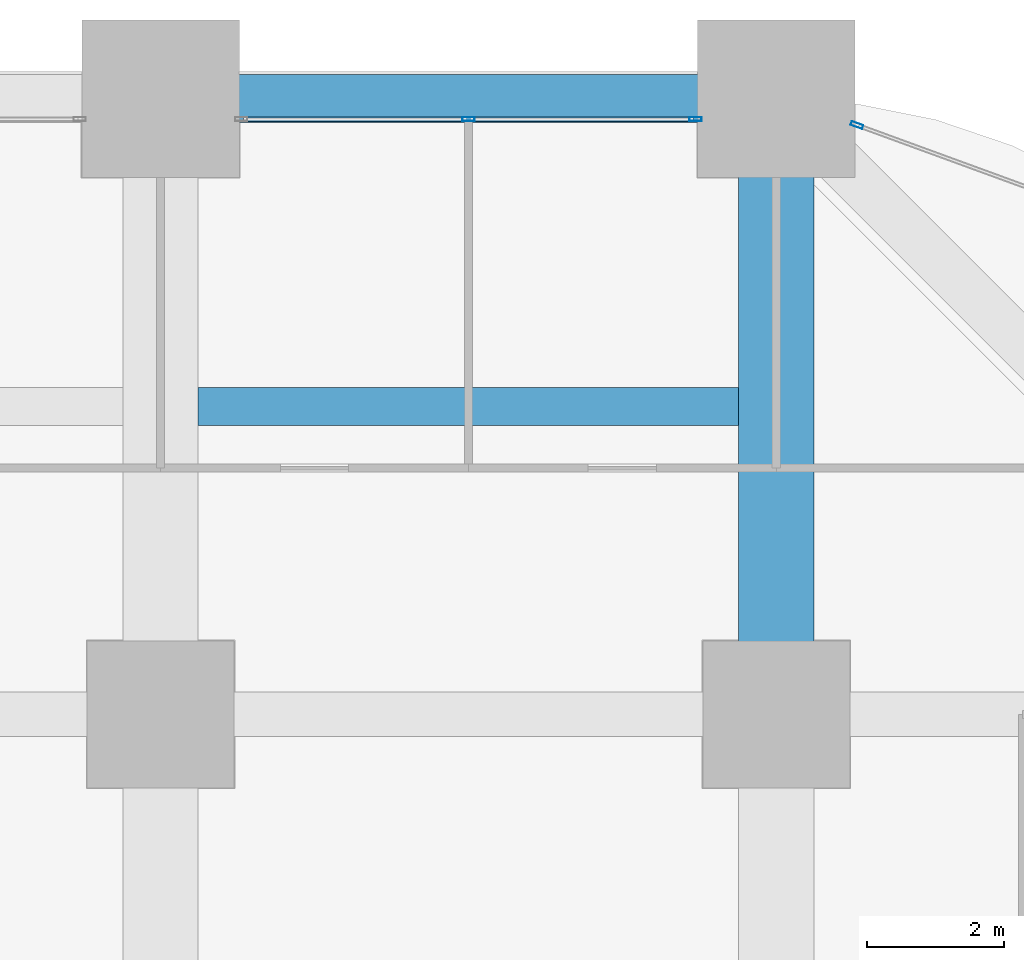
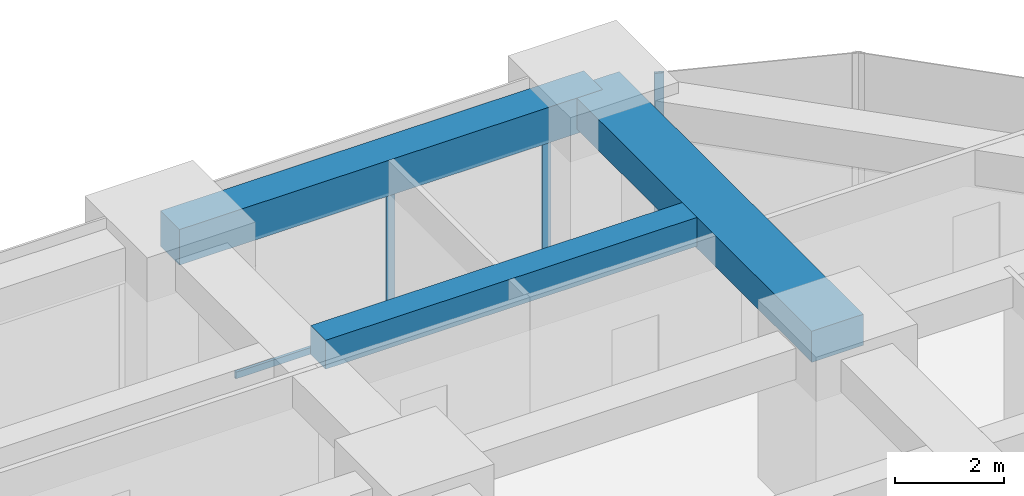
# One storey, part 36 of 44: 4 members, 3 beams, 2 elements without a shape of their own.
"""IFC4 building model written with IfcOpenShell, lengths in metres."""

from ifc_helpers import new_model, si_unit, direction, frame, origin, origin_2d, place, context, subcontext, project, spatial, rectangle, hollow_rectangle, extrude, material, material_profile, profile_set, type_object, element, aggregate, save


model = new_model("IFC4")

# Units and contexts
model_context = context("Model", 3, precision=1e-05, world=origin(), true_north=direction((0.0, 1.0)))
body_context = subcontext(model_context, "Body", "Model", "MODEL_VIEW")
ifc_project = project(units=[si_unit("LENGTHUNIT", "METRE"), si_unit("AREAUNIT", "SQUARE_METRE"), si_unit("VOLUMEUNIT", "CUBIC_METRE"), si_unit("PLANEANGLEUNIT", "RADIAN"), si_unit("MASSUNIT", "GRAM", prefix="KILO")], contexts=[model_context])

# Site, building, storey
site_placement = place(None, origin())
site = spatial("IfcSite", under=ifc_project, at=site_placement, CompositionType="ELEMENT")
building_placement = place(site_placement, origin())
building = spatial("IfcBuilding", under=site, at=building_placement, Name="Zorevar Civic Tower", CompositionType="ELEMENT")
storey_placement = place(building_placement, frame((0.0, 0.0, 55.800048828125)))
storey = spatial("IfcBuildingStorey", under=building, at=storey_placement, Name="L13", CompositionType="ELEMENT", Elevation=55.800048828125)

# Beams
ifc_material_1 = material(Name="Concrete C50/60", Category="concrete")
ifc_material_profile_1 = material_profile(ifc_material_1, rectangle(XDim=1.10009765625, YDim=0.699951171875, at=origin_2d()), Name="RC 1100x700")
ifc_profile_set_1 = profile_set([ifc_material_profile_1], Name="Concrete C50/60")
beam_type_1 = type_object("IfcBeamType", Name="Beam RC 1100x700", PredefinedType="BEAM", material=ifc_profile_set_1)
beam_1_placement = place(storey_placement, frame((54.0, 45.0, 3.39990234375), z_axis=(0.0, 1.0, 0.0), x_axis=(-1.0, 0.0, 0.0)))
element("IfcBeam", 1, at=beam_1_placement, inside=storey, type_object=beam_type_1, Name="Girder L14", PredefinedType="BEAM", context=body_context, shape_type="SweptSolid", body=[
    extrude(rectangle(XDim=1.10009765625, YDim=0.699951171875, at=origin_2d()), origin(), (0.0, 0.0, 1.0), 9.0),
])
ifc_material_2 = material(Name="Concrete C50/60", Category="concrete")
ifc_material_profile_2 = material_profile(ifc_material_2, rectangle(XDim=0.550048828125, YDim=0.64990234375, at=origin_2d()), Name="RC 550x650")
ifc_profile_set_2 = profile_set([ifc_material_profile_2], Name="Concrete C50/60")
beam_type_2 = type_object("IfcBeamType", Name="Beam RC 550x650", PredefinedType="BEAM", material=ifc_profile_set_2)
beam_2_placement = place(storey_placement, frame((45.550048828125, 49.5, 3.425048828125), z_axis=(1.0, 0.0, 0.0), x_axis=(0.0, 1.0, 0.0)))
element("IfcBeam", 2, at=beam_2_placement, inside=storey, type_object=beam_type_2, Name="Secondary beam L14", PredefinedType="BEAM", context=body_context, shape_type="SweptSolid", body=[
    extrude(rectangle(XDim=0.550048828125, YDim=0.64990234375, at=origin_2d()), origin(), (0.0, 0.0, 1.0), 7.89990234375),
])

# Curtain wall, members
ifc_material_3 = material(Name="Dark grey solar-control glass in black aluminium frame", Category="aluminium")
curtain_wall_type = type_object("IfcCurtainWallType", Name="Curtain wall CW2 low zone", PredefinedType="NOTDEFINED", material=ifc_material_3)
curtain_wall_1_placement = place(storey_placement, origin())
curtain_wall_1 = element("IfcCurtainWall", 3, at=curtain_wall_1_placement, inside=storey, type_object=curtain_wall_type, Name="CW2 L13", PredefinedType="NOTDEFINED")
ifc_material_4 = material(Name="Aluminium, black anodised", Category="aluminium")
ifc_material_profile_3 = material_profile(ifc_material_4, hollow_rectangle(XDim=0.06005859375, YDim=0.179931640625, WallThickness=0.00390625, at=origin_2d()), Name="AL 180x60x4")
ifc_profile_set_3 = profile_set([ifc_material_profile_3], Name="Aluminium, black anodised")
member_type_1 = type_object("IfcMemberType", Name="CW2 mullion AL 180x60x4", PredefinedType="MULLION", material=ifc_profile_set_3)
member_1_placement = place(storey_placement, frame((49.5, 53.699951171875, 0.06005859375), z_axis=(0.0, 0.0, 1.0), x_axis=(0.0, 1.0, 0.0)))
member_1 = element("IfcMember", 4, at=member_1_placement, type_object=member_type_1, Name="CW2 mullion 2", PredefinedType="MULLION", context=body_context, shape_type="SweptSolid", body=[
    extrude(hollow_rectangle(XDim=0.06005859375, YDim=0.179931640625, WallThickness=0.00390625, at=origin_2d()), origin(), (0.0, 0.0, 1.0), 2.889892578125),
])
member_2_placement = place(storey_placement, frame((52.820068359375, 53.699951171875, 0.0), z_axis=(0.0, 0.0, 1.0), x_axis=(0.0, 1.0, 0.0)))
member_2 = element("IfcMember", 5, at=member_2_placement, type_object=member_type_1, Name="CW2 mullion 3", PredefinedType="MULLION", context=body_context, shape_type="SweptSolid", body=[
    extrude(hollow_rectangle(XDim=0.06005859375, YDim=0.179931640625, WallThickness=0.00390625, at=origin_2d()), origin(), (0.0, 0.0, 1.0), 2.949951171875),
])

# Curtain wall, member
curtain_wall_2_placement = place(storey_placement, origin())
curtain_wall_2 = element("IfcCurtainWall", 6, at=curtain_wall_2_placement, inside=storey, type_object=curtain_wall_type, Name="CW2 L13", PredefinedType="NOTDEFINED")
member_3_placement = place(storey_placement, frame((55.17822265625, 53.61328125, 0.0), z_axis=(0.0, 0.0, 1.0), x_axis=(-0.343060400701, -0.939313345732, 0.0)))
member_3 = element("IfcMember", 7, at=member_3_placement, type_object=member_type_1, Name="CW2 mullion 2", PredefinedType="MULLION", context=body_context, shape_type="SweptSolid", body=[
    extrude(hollow_rectangle(XDim=0.06005859375, YDim=0.179931640625, WallThickness=0.00390625, at=origin_2d()), origin(), (0.0, 0.0, 1.0), 3.75),
])
aggregate(curtain_wall_2, [member_3])

# Member
ifc_material_5 = material(Name="Aluminium, black anodised", Category="aluminium")
ifc_material_profile_4 = material_profile(ifc_material_5, hollow_rectangle(XDim=0.06005859375, YDim=0.14990234375, WallThickness=0.00390625, at=origin_2d()), Name="AL 150x60x4")
ifc_profile_set_4 = profile_set([ifc_material_profile_4], Name="Aluminium, black anodised")
member_type_2 = type_object("IfcMemberType", Name="CW2 transom AL 150x60x4", PredefinedType="USERDEFINED", material=ifc_profile_set_4)
member_4_placement = place(storey_placement, frame((46.2099609375, 53.699951171875, 0.030029296875), z_axis=(1.0, 0.0, 0.0), x_axis=(0.0, 1.0, 0.0)))
member_4 = element("IfcMember", 8, at=member_4_placement, type_object=member_type_2, Name="CW2 sill transom", ObjectType="TRANSOM", PredefinedType="USERDEFINED", context=body_context, shape_type="SweptSolid", body=[
    extrude(hollow_rectangle(XDim=0.06005859375, YDim=0.14990234375, WallThickness=0.00390625, at=origin_2d()), origin(), (0.0, 0.0, 1.0), 6.580078125),
])

aggregate(curtain_wall_1, [member_1, member_2, member_4])

# Beam
ifc_material_6 = material(Name="Concrete C50/60", Category="concrete")
ifc_material_profile_5 = material_profile(ifc_material_6, rectangle(XDim=0.699951171875, YDim=0.800048828125, at=origin_2d()), Name="RC 700x800")
ifc_profile_set_5 = profile_set([ifc_material_profile_5], Name="Concrete C50/60")
beam_type_3 = type_object("IfcBeamType", Name="Edge beam RC 700x800", PredefinedType="SPANDREL", material=ifc_profile_set_5)
beam_3_placement = place(storey_placement, frame((45.0, 54.0, 3.349853515625), z_axis=(1.0, 0.0, 0.0), x_axis=(0.0, 1.0, 0.0)))
element("IfcBeam", 9, at=beam_3_placement, inside=storey, type_object=beam_type_3, Name="Edge beam L14", PredefinedType="SPANDREL", context=body_context, shape_type="SweptSolid", body=[
    extrude(rectangle(XDim=0.699951171875, YDim=0.800048828125, at=origin_2d()), origin(), (0.0, 0.0, 1.0), 9.0),
])

save(model, "model.ifc")
